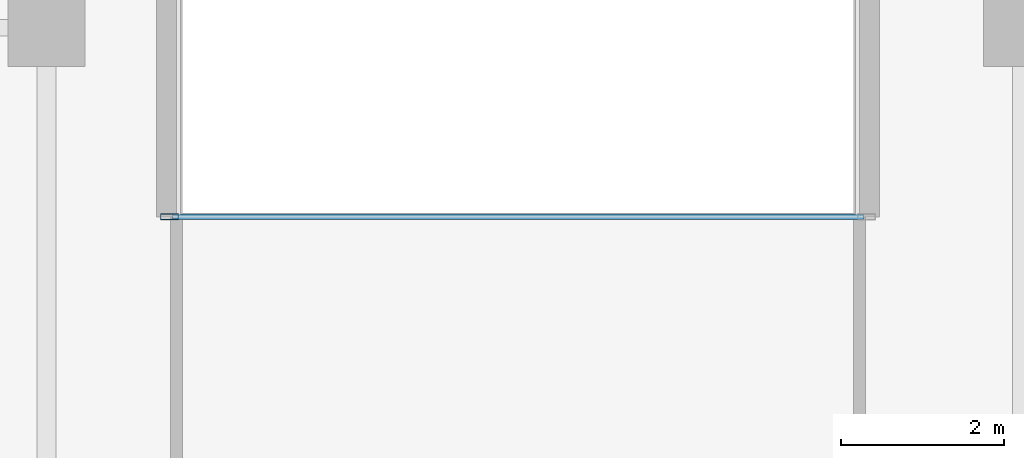
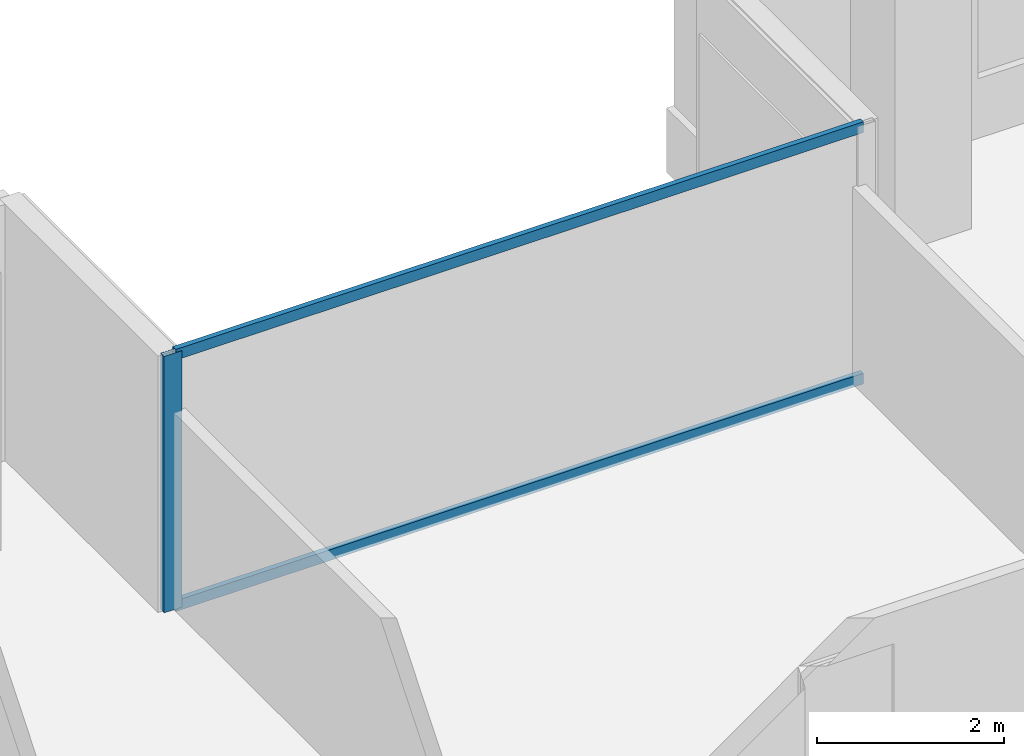
# One storey, part 6 of 23: 3 members, 1 element without a shape of its own.
"""IFC4 building model written with IfcOpenShell, lengths in metres."""

from ifc_helpers import new_model, si_unit, direction, frame, origin, origin_2d, place, context, subcontext, project, spatial, hollow_rectangle, extrude, material, layer, layer_set, material_profile, profile_set, type_object, element, aggregate, save


model = new_model("IFC4")

# Units and contexts
model_context = context("Model", 3, precision=1e-05, world=origin(), true_north=direction((0.0, 1.0)))
body_context = subcontext(model_context, "Body", "Model", "MODEL_VIEW")
ifc_project = project(units=[si_unit("LENGTHUNIT", "METRE"), si_unit("AREAUNIT", "SQUARE_METRE"), si_unit("VOLUMEUNIT", "CUBIC_METRE"), si_unit("PLANEANGLEUNIT", "RADIAN"), si_unit("MASSUNIT", "GRAM", prefix="KILO")], contexts=[model_context])

# Site, building, storey
site_placement = place(None, origin())
site = spatial("IfcSite", under=ifc_project, at=site_placement, CompositionType="ELEMENT")
building_placement = place(site_placement, origin())
building = spatial("IfcBuilding", under=site, at=building_placement, Name="Tanjung Sevakor Pilgrim Tower", CompositionType="ELEMENT")
storey_placement = place(building_placement, frame((0.0, 0.0, 119.4599609375)))
storey = spatial("IfcBuildingStorey", under=building, at=storey_placement, Name="L33", CompositionType="ELEMENT", Elevation=119.4599609375)

# Curtain wall, members
ifc_material_1 = material(Name="Aluminium 6063-T6 and Low-E Glass", Category="aluminium")
ifc_layer = layer(ifc_material_1, 0.179931640625)
ifc_layer_set = layer_set([ifc_layer], Name="CW-SYS-CLEFT")
curtain_wall_type = type_object("IfcCurtainWallType", Name="CW-SYS-CLEFT", PredefinedType="NOTDEFINED", material=ifc_layer_set)
curtain_wall_placement = place(storey_placement, origin())
curtain_wall = element("IfcCurtainWall", 1, at=curtain_wall_placement, inside=storey, type_object=curtain_wall_type, Name="L33 Curtain Wall CW-CLF-L33-10", PredefinedType="NOTDEFINED")
ifc_material_2 = material(Name="Aluminium 6063-T6", Category="aluminium")
ifc_material_profile_1 = material_profile(ifc_material_2, hollow_rectangle(XDim=0.074951171875, YDim=0.219970703125, WallThickness=0.0048828125, at=origin_2d()))
ifc_profile_set_1 = profile_set([ifc_material_profile_1], Name="Aluminium 6063-T6")
member_type_1 = type_object("IfcMemberType", Name="TYPE-CWM-2", PredefinedType="MULLION", material=ifc_profile_set_1)
member_1_placement = place(storey_placement, frame((43.512451171875, 54.074951171875, 0.0), z_axis=(0.0, 0.0, 1.0), x_axis=(0.0, -1.0, 0.0)))
member_1 = element("IfcMember", 2, at=member_1_placement, type_object=member_type_1, Name="CW-CLF mullion 2", PredefinedType="MULLION", context=body_context, shape_type="SweptSolid", body=[
    extrude(hollow_rectangle(XDim=0.074951171875, YDim=0.219970703125, WallThickness=0.0048828125, at=origin_2d()), origin(), (0.0, 0.0, 1.0), 3.35009765625),
])
ifc_material_3 = material(Name="Aluminium 6063-T6", Category="aluminium")
ifc_material_profile_2 = material_profile(ifc_material_3, hollow_rectangle(XDim=0.06494140625, YDim=0.139892578125, WallThickness=0.00390625, at=origin_2d()))
ifc_profile_set_2 = profile_set([ifc_material_profile_2], Name="Aluminium 6063-T6")
member_type_2 = type_object("IfcMemberType", Name="TYPE-CWT-1", PredefinedType="USERDEFINED", material=ifc_profile_set_2)
member_2_placement = place(storey_placement, frame((52.050048828125, 54.074951171875, 0.032470703125), z_axis=(-1.0, 0.0, 0.0), x_axis=(0.0, -1.0, 0.0)))
member_2 = element("IfcMember", 3, at=member_2_placement, type_object=member_type_2, Name="CW-CLF transom 1.1", ObjectType="TRANSOM", PredefinedType="USERDEFINED", context=body_context, shape_type="SweptSolid", body=[
    extrude(hollow_rectangle(XDim=0.06494140625, YDim=0.139892578125, WallThickness=0.00390625, at=origin_2d()), origin(), (0.0, 0.0, 1.0), 8.5),
])
member_3_placement = place(storey_placement, frame((52.050048828125, 54.074951171875, 3.317626953125), z_axis=(-1.0, 0.0, 0.0), x_axis=(0.0, -1.0, 0.0)))
member_3 = element("IfcMember", 4, at=member_3_placement, type_object=member_type_2, Name="CW-CLF transom 1.2", ObjectType="TRANSOM", PredefinedType="USERDEFINED", context=body_context, shape_type="SweptSolid", body=[
    extrude(hollow_rectangle(XDim=0.06494140625, YDim=0.139892578125, WallThickness=0.00390625, at=origin_2d()), origin(), (0.0, 0.0, 1.0), 8.5),
])
aggregate(curtain_wall, [member_1, member_2, member_3])

save(model, "model.ifc")
